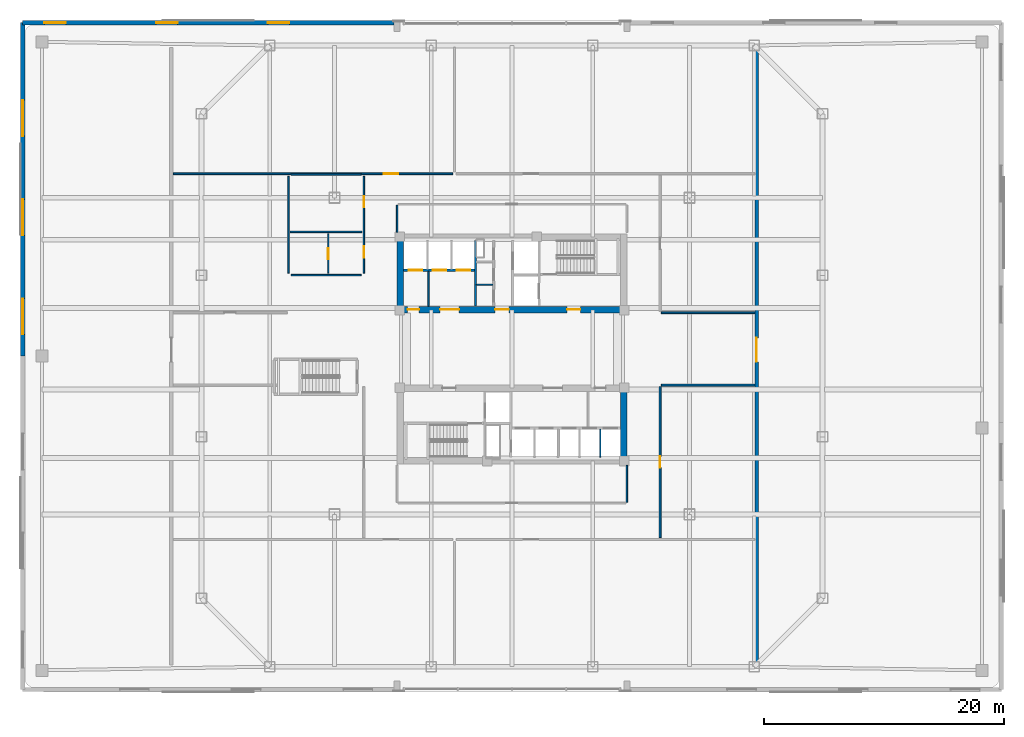
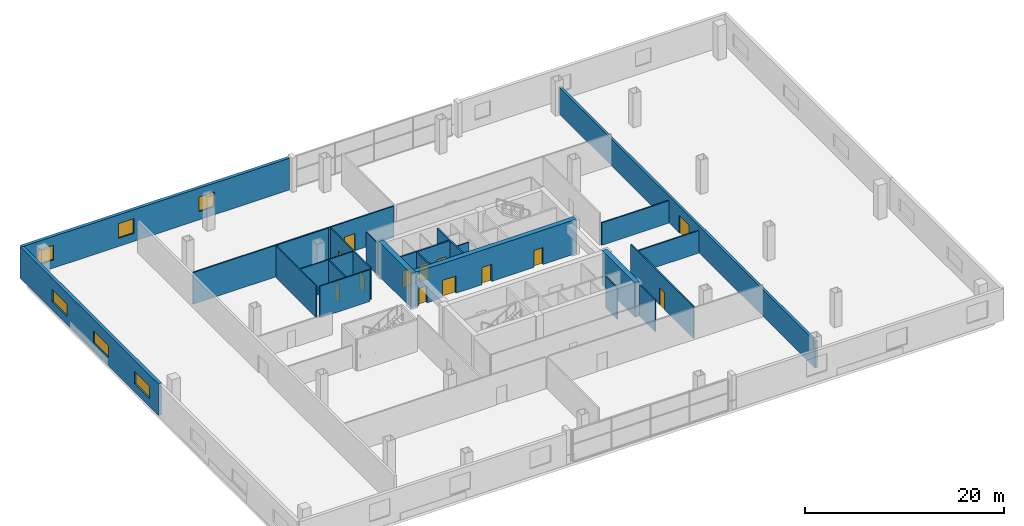
# One storey, part 13 of 21: 23 walls, 13 doors, 6 windows, 19 openings.
"""IFC4 building model written with IfcOpenShell, lengths in metres."""

from ifc_helpers import new_model, si_unit, direction, frame, frame_2d, origin, place, context, subcontext, project, spatial, rectangle, extrude, material, layer, layer_set, type_object, element, fill, save


model = new_model("IFC4")

# Units and contexts
model_context = context("Model", 3, precision=1e-05, world=origin(), true_north=direction((0.0, 1.0)))
body_context = subcontext(model_context, "Body", "Model", "MODEL_VIEW")
ifc_project = project(units=[si_unit("LENGTHUNIT", "METRE"), si_unit("AREAUNIT", "SQUARE_METRE"), si_unit("VOLUMEUNIT", "CUBIC_METRE"), si_unit("PLANEANGLEUNIT", "RADIAN"), si_unit("MASSUNIT", "GRAM", prefix="KILO")], contexts=[model_context])

# Site, building, storey
site_placement = place(None, origin())
site = spatial("IfcSite", under=ifc_project, at=site_placement, CompositionType="ELEMENT")
building_placement = place(site_placement, origin())
building = spatial("IfcBuilding", under=site, at=building_placement, Name="Qhalaya Broadcast Tower", CompositionType="ELEMENT")
storey_placement = place(building_placement, frame((0.0, 0.0, 13.5)))
storey = spatial("IfcBuildingStorey", under=building, at=storey_placement, Name="L03", CompositionType="ELEMENT", Elevation=13.5)

# Wall, opening, door
ifc_material_1 = material(Name="Gypsum Acoustic Partition")
ifc_layer_1 = layer(ifc_material_1, 0.14990234375, Name="Gypsum Acoustic Partition")
ifc_layer_set_1 = layer_set([ifc_layer_1], Name="Gypsum Acoustic Partition")
wall_type_1 = type_object("IfcWallType", Name="Corridor & Tenancy Acoustic Partition 150", PredefinedType="PARTITIONING", material=ifc_layer_set_1)
wall_1_placement = place(storey_placement, frame((-28.239990234375, 15.199951171875, 0.0), z_axis=(0.0, 0.0, 1.0), x_axis=(1.0, 0.0, 0.0)))
wall_1 = element("IfcWall", 1, at=wall_1_placement, inside=storey, type_object=wall_type_1, Name="L03 Partition Wall W-STN1L", PredefinedType="PARTITIONING", context=body_context, shape_type="SweptSolid", body=[
    extrude(rectangle(XDim=23.280029296875, YDim=0.14990234375, at=frame_2d((11.64013671875, 0.0))), origin(), (0.0, 0.0, 1.0), 3.8798828125),
])
opening_1_placement = place(wall_1_placement, frame((17.55810546875, 0.0, 0.0)))
opening_1 = element("IfcOpeningElement", 2, at=opening_1_placement, cuts=wall_1, Name="Opening D11", PredefinedType="OPENING", context=body_context, shape_type="SweptSolid", body=[
    extrude(rectangle(XDim=1.199951171875, YDim=2.10009765625, at=frame_2d((0.60009765625, 1.050048828125))), frame((0.0, 0.0869140625, 0.0), z_axis=(0.0, -1.0, 0.0), x_axis=(1.0, 0.0, 0.0)), (0.0, 0.0, 1.0), 0.173828125),
])
ifc_material_2 = material(Name="Anodised Aluminium Glazed Door", Category="aluminium")
door_type_1 = type_object("IfcDoorType", Name="Conference, Boardroom & Studio Control Door D11", OperationType="NOTDEFINED", PredefinedType="DOOR", material=ifc_material_2)
door_1_placement = place(opening_1_placement, origin())
door_1 = element("IfcDoor", 3, at=door_1_placement, inside=storey, type_object=door_type_1, Name="L03 Door D-STN1", OperationType="SINGLE_SWING_LEFT", OverallHeight=2.10009765625, OverallWidth=1.199951171875, PredefinedType="DOOR", context=body_context, shape_type="SweptSolid", body=[
    extrude(rectangle(XDim=1.199951171875, YDim=2.10009765625, at=frame_2d((0.60009765625, 1.050048828125))), frame((0.0, 0.02490234375, 0.0), z_axis=(0.0, -1.0, 0.0), x_axis=(1.0, 0.0, 0.0)), (0.0, 0.0, 1.0), 0.050048828125),
])
fill(opening_1, door_1)

wall_2_placement = place(storey_placement, frame((12.35009765625, -15.139892578125, 0.0), z_axis=(0.0, 0.0, 1.0), x_axis=(0.0, 1.0, 0.0)))
wall_2 = element("IfcWall", 4, at=wall_2_placement, inside=storey, type_object=wall_type_1, Name="L03 Partition Wall W-STPES", PredefinedType="PARTITIONING", context=body_context, shape_type="SweptSolid", body=[
    extrude(rectangle(XDim=12.599853515625, YDim=0.14990234375, at=frame_2d((6.2998046875, 0.0))), origin(), (0.0, 0.0, 1.0), 3.8798828125),
])
opening_2_placement = place(wall_2_placement, frame((5.824951171875, 0.0, 0.0)))
opening_2 = element("IfcOpeningElement", 5, at=opening_2_placement, cuts=wall_2, Name="Opening D10", PredefinedType="OPENING", context=body_context, shape_type="SweptSolid", body=[
    extrude(rectangle(XDim=0.949951171875, YDim=2.10009765625, at=frame_2d((0.47509765625, 1.050048828125))), frame((0.0, 0.0869140625, 0.0), z_axis=(0.0, -1.0, 0.0), x_axis=(1.0, 0.0, 0.0)), (0.0, 0.0, 1.0), 0.173828125),
])
ifc_material_3 = material(Name="Timber Veneer Acoustic Door", Category="wood")
door_type_2 = type_object("IfcDoorType", Name="Cellular Office & Edit Booth Door D10", OperationType="NOTDEFINED", PredefinedType="DOOR", material=ifc_material_3)
door_2_placement = place(opening_2_placement, origin())
door_2 = element("IfcDoor", 6, at=door_2_placement, inside=storey, type_object=door_type_2, Name="L03 Door D-STPE1", OperationType="SINGLE_SWING_RIGHT", OverallHeight=2.10009765625, OverallWidth=0.949951171875, PredefinedType="DOOR", context=body_context, shape_type="SweptSolid", body=[
    extrude(rectangle(XDim=0.949951171875, YDim=2.10009765625, at=frame_2d((0.47509765625, 1.050048828125))), frame((0.0, 0.02490234375, 0.0), z_axis=(0.0, -1.0, 0.0), x_axis=(1.0, 0.0, 0.0)), (0.0, 0.0, 1.0), 0.050048828125),
])
fill(opening_2, door_2)

# Walls
for number, where, z_axis, x_axis, name in (
    (7, (12.4599609375, -2.419921875, 0.0), (0.0, 0.0, 1.0), (1.0, 0.0, 0.0), "L03 Partition Wall W-STP-CS"),
    (8, (12.4599609375, 3.6201171875, 0.0), (0.0, 0.0, 1.0), (1.0, 0.0, 0.0), "L03 Partition Wall W-STP-CN"),
):
    element("IfcWall", number, at=place(storey_placement, frame(where, z_axis=z_axis, x_axis=x_axis)), inside=storey, type_object=wall_type_1, Name=name, PredefinedType="PARTITIONING", context=body_context, shape_type="SweptSolid", body=[
        extrude(rectangle(XDim=7.800048828125, YDim=0.14990234375, at=frame_2d((3.89990234375, 0.0))), origin(), (0.0, 0.0, 1.0), 2.741943359375),
    ])

# Wall, opening, door
ifc_layer_2 = layer(ifc_material_1, 0.280029296875, Name="Gypsum Acoustic Partition")
ifc_layer_set_2 = layer_set([ifc_layer_2], Name="Gypsum Acoustic Partition")
wall_type_2 = type_object("IfcWallType", Name="Double-Leaf Soundstage Acoustic Wall 280", PredefinedType="MOVABLE", material=ifc_layer_set_2)
wall_3_placement = place(storey_placement, frame((20.39990234375, -25.739990234375, 0.0), z_axis=(0.0, 0.0, 1.0), x_axis=(0.0, 1.0, 0.0)))
wall_3 = element("IfcWall", 9, at=wall_3_placement, inside=storey, type_object=wall_type_2, Name="L03 Partition Wall W-STBE", PredefinedType="MOVABLE", context=body_context, shape_type="SweptSolid", body=[
    extrude(rectangle(XDim=51.47998046875, YDim=0.280029296875, at=frame_2d((25.739990234375, 0.0))), origin(), (0.0, 0.0, 1.0), 3.2529296875),
])
opening_3_placement = place(wall_3_placement, frame((25.2548828125, 0.0, 0.0)))
opening_3 = element("IfcOpeningElement", 10, at=opening_3_placement, cuts=wall_3, Name="Opening D08", PredefinedType="OPENING", context=body_context, shape_type="SweptSolid", body=[
    extrude(rectangle(XDim=2.0, YDim=2.139892578125, at=frame_2d((1.0, 1.06982421875))), frame((0.0, 0.152099609375, 0.0), z_axis=(0.0, -1.0, 0.0), x_axis=(1.0, 0.0, 0.0)), (0.0, 0.0, 1.0), 0.303955078125),
])
ifc_material_4 = material(Name="Acoustic Studio Isolation Steel Door", Category="steel")
door_type_3 = type_object("IfcDoorType", Name="Soundstage Acoustic Isolation Double Door D08", OperationType="DOUBLE_DOOR_SINGLE_SWING", PredefinedType="DOOR", material=ifc_material_4)
door_3_placement = place(opening_3_placement, origin())
door_3 = element("IfcDoor", 11, at=door_3_placement, inside=storey, type_object=door_type_3, Name="L03 Door D-STB1", OperationType="DOUBLE_DOOR_SINGLE_SWING", OverallHeight=2.139892578125, OverallWidth=2.0, PredefinedType="DOOR", context=body_context, shape_type="SweptSolid", body=[
    extrude(rectangle(XDim=2.0, YDim=2.139892578125, at=frame_2d((1.0, 1.06982421875))), frame((0.0, 0.02490234375, 0.0), z_axis=(0.0, -1.0, 0.0), x_axis=(1.0, 0.0, 0.0)), (0.0, 0.0, 1.0), 0.050048828125),
])
fill(opening_3, door_3)

# Wall, openings, windows
ifc_material_5 = material(Name="Precast Concrete C40/50", Category="concrete")
ifc_layer_3 = layer(ifc_material_5, 0.360107421875, Name="Precast Concrete C40/50")
ifc_layer_set_3 = layer_set([ifc_layer_3], Name="Precast Concrete C40/50")
wall_type_3 = type_object("IfcWallType", Name="Insulated Precast Terracotta Exterior Wall 360", PredefinedType="SOLIDWALL", material=ifc_layer_set_3)
wall_4_placement = place(storey_placement, frame((-40.800048828125, 27.800048828125, 0.0), z_axis=(0.0, 0.0, 1.0), x_axis=(1.0, 0.0, 0.0)))
wall_4 = element("IfcWall", 12, at=wall_4_placement, inside=storey, type_object=wall_type_3, Name="L03 Podium Exterior Terracotta Wall EW-NW", PredefinedType="SOLIDWALL", context=body_context, shape_type="SweptSolid", body=[
    extrude(rectangle(XDim=30.9599609375, YDim=0.360107421875, at=frame_2d((15.47998046875, 0.0))), origin(), (0.0, 0.0, 1.0), 3.8798828125),
])
opening_4_placement = place(wall_4_placement, frame((1.800048828125, 0.0, 1.0)))
opening_4 = element("IfcOpeningElement", 13, at=opening_4_placement, cuts=wall_4, Name="Opening W02", PredefinedType="OPENING", context=body_context, shape_type="SweptSolid", body=[
    extrude(rectangle(XDim=1.800048828125, YDim=1.800048828125, at=frame_2d((0.89990234375, 0.89990234375))), frame((0.0, 0.192138671875, 0.0), z_axis=(0.0, -1.0, 0.0), x_axis=(1.0, 0.0, 0.0)), (0.0, 0.0, 1.0), 0.384033203125),
])
opening_5_placement = place(wall_4_placement, frame((11.1201171875, 0.0, 1.0)))
opening_5 = element("IfcOpeningElement", 14, at=opening_5_placement, cuts=wall_4, Name="Opening W02", PredefinedType="OPENING", context=body_context, shape_type="SweptSolid", body=[
    extrude(rectangle(XDim=1.800048828125, YDim=1.800048828125, at=frame_2d((0.89990234375, 0.89990234375))), frame((0.0, 0.192138671875, 0.0), z_axis=(0.0, -1.0, 0.0), x_axis=(1.0, 0.0, 0.0)), (0.0, 0.0, 1.0), 0.384033203125),
])
opening_6_placement = place(wall_4_placement, frame((20.43994140625, 0.0, 1.0)))
opening_6 = element("IfcOpeningElement", 15, at=opening_6_placement, cuts=wall_4, Name="Opening W02", PredefinedType="OPENING", context=body_context, shape_type="SweptSolid", body=[
    extrude(rectangle(XDim=1.800048828125, YDim=1.800048828125, at=frame_2d((0.89990234375, 0.89990234375))), frame((0.0, 0.192138671875, 0.0), z_axis=(0.0, -1.0, 0.0), x_axis=(1.0, 0.0, 0.0)), (0.0, 0.0, 1.0), 0.384033203125),
])
ifc_material_6 = material(Name="Solar-Control Low-E Triple Glazing", Category="glass")
window_type_1 = type_object("IfcWindowType", Name="Podium Production Office Window W02", PartitioningType="SINGLE_PANEL", PredefinedType="WINDOW", material=ifc_material_6)
window_1_placement = place(opening_4_placement, origin())
window_1 = element("IfcWindow", 16, at=window_1_placement, inside=storey, type_object=window_type_1, Name="L03 Facade Window W02-1", OverallHeight=1.800048828125, OverallWidth=1.800048828125, PartitioningType="SINGLE_PANEL", PredefinedType="WINDOW", context=body_context, shape_type="SweptSolid", body=[
    extrude(rectangle(XDim=1.800048828125, YDim=1.800048828125, at=frame_2d((0.89990234375, 0.89990234375))), frame((0.0, 0.030029296875, 0.0), z_axis=(0.0, -1.0, 0.0), x_axis=(1.0, 0.0, 0.0)), (0.0, 0.0, 1.0), 0.06005859375),
])
fill(opening_4, window_1)
window_2_placement = place(opening_5_placement, origin())
window_2 = element("IfcWindow", 17, at=window_2_placement, inside=storey, type_object=window_type_1, Name="L03 Facade Window W02-2", OverallHeight=1.800048828125, OverallWidth=1.800048828125, PartitioningType="SINGLE_PANEL", PredefinedType="WINDOW", context=body_context, shape_type="SweptSolid", body=[
    extrude(rectangle(XDim=1.800048828125, YDim=1.800048828125, at=frame_2d((0.89990234375, 0.89990234375))), frame((0.0, 0.030029296875, 0.0), z_axis=(0.0, -1.0, 0.0), x_axis=(1.0, 0.0, 0.0)), (0.0, 0.0, 1.0), 0.06005859375),
])
fill(opening_5, window_2)
window_3_placement = place(opening_6_placement, origin())
window_3 = element("IfcWindow", 18, at=window_3_placement, inside=storey, type_object=window_type_1, Name="L03 Facade Window W02-3", OverallHeight=1.800048828125, OverallWidth=1.800048828125, PartitioningType="SINGLE_PANEL", PredefinedType="WINDOW", context=body_context, shape_type="SweptSolid", body=[
    extrude(rectangle(XDim=1.800048828125, YDim=1.800048828125, at=frame_2d((0.89990234375, 0.89990234375))), frame((0.0, 0.030029296875, 0.0), z_axis=(0.0, -1.0, 0.0), x_axis=(1.0, 0.0, 0.0)), (0.0, 0.0, 1.0), 0.06005859375),
])
fill(opening_6, window_3)

wall_5_placement = place(storey_placement, frame((-40.800048828125, 0.0, 0.0), z_axis=(0.0, 0.0, 1.0), x_axis=(0.0, 1.0, 0.0)))
wall_5 = element("IfcWall", 19, at=wall_5_placement, inside=storey, type_object=wall_type_3, Name="L03 Podium Exterior Terracotta Wall EW-WN", PredefinedType="SOLIDWALL", context=body_context, shape_type="SweptSolid", body=[
    extrude(rectangle(XDim=27.800048828125, YDim=0.360107421875, at=frame_2d((13.89990234375, 0.0))), origin(), (0.0, 0.0, 1.0), 3.8798828125),
])
opening_7_placement = place(wall_5_placement, frame((1.800048828125, 0.0, 1.0)))
opening_7 = element("IfcOpeningElement", 20, at=opening_7_placement, cuts=wall_5, Name="Opening W03", PredefinedType="OPENING", context=body_context, shape_type="SweptSolid", body=[
    extrude(rectangle(XDim=3.0, YDim=1.5, at=frame_2d((1.5, 0.75))), frame((0.0, 0.192138671875, 0.0), z_axis=(0.0, -1.0, 0.0), x_axis=(1.0, 0.0, 0.0)), (0.0, 0.0, 1.0), 0.384033203125),
])
opening_8_placement = place(wall_5_placement, frame((10.06689453125, 0.0, 1.0)))
opening_8 = element("IfcOpeningElement", 21, at=opening_8_placement, cuts=wall_5, Name="Opening W03", PredefinedType="OPENING", context=body_context, shape_type="SweptSolid", body=[
    extrude(rectangle(XDim=3.0, YDim=1.5, at=frame_2d((1.5, 0.75))), frame((0.0, 0.192138671875, 0.0), z_axis=(0.0, -1.0, 0.0), x_axis=(1.0, 0.0, 0.0)), (0.0, 0.0, 1.0), 0.384033203125),
])
opening_9_placement = place(wall_5_placement, frame((18.3330078125, 0.0, 1.0)))
opening_9 = element("IfcOpeningElement", 22, at=opening_9_placement, cuts=wall_5, Name="Opening W03", PredefinedType="OPENING", context=body_context, shape_type="SweptSolid", body=[
    extrude(rectangle(XDim=3.0, YDim=1.5, at=frame_2d((1.5, 0.75))), frame((0.0, 0.192138671875, 0.0), z_axis=(0.0, -1.0, 0.0), x_axis=(1.0, 0.0, 0.0)), (0.0, 0.0, 1.0), 0.384033203125),
])
window_type_2 = type_object("IfcWindowType", Name="Podium Concourse Clerestory Window W03", PartitioningType="SINGLE_PANEL", PredefinedType="WINDOW", material=ifc_material_6)
window_4_placement = place(opening_7_placement, origin())
window_4 = element("IfcWindow", 23, at=window_4_placement, inside=storey, type_object=window_type_2, Name="L03 Facade Window W03-1", OverallHeight=1.5, OverallWidth=3.0, PartitioningType="SINGLE_PANEL", PredefinedType="WINDOW", context=body_context, shape_type="SweptSolid", body=[
    extrude(rectangle(XDim=3.0, YDim=1.5, at=frame_2d((1.5, 0.75))), frame((0.0, 0.030029296875, 0.0), z_axis=(0.0, -1.0, 0.0), x_axis=(1.0, 0.0, 0.0)), (0.0, 0.0, 1.0), 0.06005859375),
])
fill(opening_7, window_4)
window_5_placement = place(opening_8_placement, origin())
window_5 = element("IfcWindow", 24, at=window_5_placement, inside=storey, type_object=window_type_2, Name="L03 Facade Window W03-2", OverallHeight=1.5, OverallWidth=3.0, PartitioningType="SINGLE_PANEL", PredefinedType="WINDOW", context=body_context, shape_type="SweptSolid", body=[
    extrude(rectangle(XDim=3.0, YDim=1.5, at=frame_2d((1.5, 0.75))), frame((0.0, 0.030029296875, 0.0), z_axis=(0.0, -1.0, 0.0), x_axis=(1.0, 0.0, 0.0)), (0.0, 0.0, 1.0), 0.06005859375),
])
fill(opening_8, window_5)
window_6_placement = place(opening_9_placement, origin())
window_6 = element("IfcWindow", 25, at=window_6_placement, inside=storey, type_object=window_type_2, Name="L03 Facade Window W03-3", OverallHeight=1.5, OverallWidth=3.0, PartitioningType="SINGLE_PANEL", PredefinedType="WINDOW", context=body_context, shape_type="SweptSolid", body=[
    extrude(rectangle(XDim=3.0, YDim=1.5, at=frame_2d((1.5, 0.75))), frame((0.0, 0.030029296875, 0.0), z_axis=(0.0, -1.0, 0.0), x_axis=(1.0, 0.0, 0.0)), (0.0, 0.0, 1.0), 0.06005859375),
])
fill(opening_9, window_6)

# Wall, openings, doors
ifc_material_7 = material(Name="Concrete C60/75", Category="concrete")
ifc_layer_4 = layer(ifc_material_7, 0.550048828125, Name="Concrete C60/75")
ifc_layer_set_4 = layer_set([ifc_layer_4], Name="Concrete C60/75")
wall_type_4 = type_object("IfcWallType", Name="Lower Split-Core Shear Wall 550", PredefinedType="SHEAR", material=ifc_layer_set_4)
wall_6_placement = place(storey_placement, frame((-9.60009765625, 3.875, 0.0), z_axis=(0.0, 0.0, 1.0), x_axis=(1.0, 0.0, 0.0)))
wall_6 = element("IfcWall", 26, at=wall_6_placement, inside=storey, type_object=wall_type_4, Name="L03 Split-Core Shear Wall CW-NS", PredefinedType="SHEAR", context=body_context, shape_type="SweptSolid", body=[
    extrude(rectangle(XDim=19.2001953125, YDim=0.550048828125, at=frame_2d((9.60009765625, 0.0))), origin(), (0.0, 0.0, 1.0), 4.199951171875),
])
opening_10_placement = place(wall_6_placement, frame((14.199951171875, 0.0, 0.0)))
opening_10 = element("IfcOpeningElement", 27, at=opening_10_placement, cuts=wall_6, Name="Opening D04", PredefinedType="OPENING", context=body_context, shape_type="SweptSolid", body=[
    extrude(rectangle(XDim=1.10009765625, YDim=2.080078125, at=frame_2d((0.550048828125, 1.0400390625))), frame((0.0, 0.287109375, 0.0), z_axis=(0.0, -1.0, 0.0), x_axis=(1.0, 0.0, 0.0)), (0.0, 0.0, 1.0), 0.573974609375),
])
opening_11_placement = place(wall_6_placement, frame((8.199951171875, 0.0, 0.0)))
opening_11 = element("IfcOpeningElement", 28, at=opening_11_placement, cuts=wall_6, Name="Opening D05", PredefinedType="OPENING", context=body_context, shape_type="SweptSolid", body=[
    extrude(rectangle(XDim=1.14990234375, YDim=2.10009765625, at=frame_2d((0.574951171875, 1.050048828125))), frame((0.0, 0.287109375, 0.0), z_axis=(0.0, -1.0, 0.0), x_axis=(1.0, 0.0, 0.0)), (0.0, 0.0, 1.0), 0.573974609375),
])
opening_12_placement = place(wall_6_placement, frame((0.89990234375, 0.0, 0.0)))
opening_12 = element("IfcOpeningElement", 29, at=opening_12_placement, cuts=wall_6, Name="Opening D10", PredefinedType="OPENING", context=body_context, shape_type="SweptSolid", body=[
    extrude(rectangle(XDim=0.949951171875, YDim=2.10009765625, at=frame_2d((0.47509765625, 1.050048828125))), frame((0.0, 0.287109375, 0.0), z_axis=(0.0, -1.0, 0.0), x_axis=(1.0, 0.0, 0.0)), (0.0, 0.0, 1.0), 0.573974609375),
])
opening_13_placement = place(wall_6_placement, frame((3.60009765625, 0.0, 0.0)))
opening_13 = element("IfcOpeningElement", 30, at=opening_13_placement, cuts=wall_6, Name="Opening D07", PredefinedType="OPENING", context=body_context, shape_type="SweptSolid", body=[
    extrude(rectangle(XDim=1.60009765625, YDim=2.1201171875, at=frame_2d((0.800048828125, 1.06005859375))), frame((0.0, 0.287109375, 0.0), z_axis=(0.0, -1.0, 0.0), x_axis=(1.0, 0.0, 0.0)), (0.0, 0.0, 1.0), 0.573974609375),
])
door_4_placement = place(opening_12_placement, origin())
door_4 = element("IfcDoor", 31, at=door_4_placement, inside=storey, type_object=door_type_2, Name="L03 Door D-NLPNT", OperationType="SINGLE_SWING_RIGHT", OverallHeight=2.10009765625, OverallWidth=0.949951171875, PredefinedType="DOOR", context=body_context, shape_type="SweptSolid", body=[
    extrude(rectangle(XDim=0.949951171875, YDim=2.10009765625, at=frame_2d((0.47509765625, 1.050048828125))), frame((0.0, 0.02490234375, 0.0), z_axis=(0.0, -1.0, 0.0), x_axis=(1.0, 0.0, 0.0)), (0.0, 0.0, 1.0), 0.050048828125),
])
fill(opening_12, door_4)
ifc_material_8 = material(Name="Fire-Rated Steel Door", Category="steel")
door_type_4 = type_object("IfcDoorType", Name="Firefighting Lobby Rated Door D04", OperationType="NOTDEFINED", PredefinedType="DOOR", material=ifc_material_8)
door_5_placement = place(opening_10_placement, origin())
door_5 = element("IfcDoor", 32, at=door_5_placement, inside=storey, type_object=door_type_4, Name="L03 Door D-NFF", OperationType="SINGLE_SWING_RIGHT", OverallHeight=2.080078125, OverallWidth=1.10009765625, PredefinedType="DOOR", context=body_context, shape_type="SweptSolid", body=[
    extrude(rectangle(XDim=1.10009765625, YDim=2.080078125, at=frame_2d((0.550048828125, 1.0400390625))), frame((0.0, 0.02490234375, 0.0), z_axis=(0.0, -1.0, 0.0), x_axis=(1.0, 0.0, 0.0)), (0.0, 0.0, 1.0), 0.050048828125),
])
fill(opening_10, door_5)
door_type_5 = type_object("IfcDoorType", Name="Passenger Lift Lobby Double Glazed Door D07", OperationType="DOUBLE_DOOR_SINGLE_SWING", PredefinedType="DOOR", material=ifc_material_2)
door_6_placement = place(opening_13_placement, origin())
door_6 = element("IfcDoor", 33, at=door_6_placement, inside=storey, type_object=door_type_5, Name="L03 Door D-NPLL", OperationType="DOUBLE_DOOR_SINGLE_SWING", OverallHeight=2.1201171875, OverallWidth=1.60009765625, PredefinedType="DOOR", context=body_context, shape_type="SweptSolid", body=[
    extrude(rectangle(XDim=1.60009765625, YDim=2.1201171875, at=frame_2d((0.800048828125, 1.06005859375))), frame((0.0, 0.02490234375, 0.0), z_axis=(0.0, -1.0, 0.0), x_axis=(1.0, 0.0, 0.0)), (0.0, 0.0, 1.0), 0.050048828125),
])
fill(opening_13, door_6)
door_type_6 = type_object("IfcDoorType", Name="Refuge & Plant Room Fire Door D05", OperationType="NOTDEFINED", PredefinedType="DOOR", material=ifc_material_8)
door_7_placement = place(opening_11_placement, origin())
door_7 = element("IfcDoor", 34, at=door_7_placement, inside=storey, type_object=door_type_6, Name="L03 Door D-NSVL", OperationType="SINGLE_SWING_LEFT", OverallHeight=2.10009765625, OverallWidth=1.14990234375, PredefinedType="DOOR", context=body_context, shape_type="SweptSolid", body=[
    extrude(rectangle(XDim=1.14990234375, YDim=2.10009765625, at=frame_2d((0.574951171875, 1.050048828125))), frame((0.0, 0.02490234375, 0.0), z_axis=(0.0, -1.0, 0.0), x_axis=(1.0, 0.0, 0.0)), (0.0, 0.0, 1.0), 0.050048828125),
])
fill(opening_11, door_7)

# Walls
wall_7_placement = place(storey_placement, frame((-9.324951171875, 3.60009765625, 0.0), z_axis=(0.0, 0.0, 1.0), x_axis=(0.0, 1.0, 0.0)))
element("IfcWall", 35, at=wall_7_placement, inside=storey, type_object=wall_type_4, Name="L03 Split-Core Shear Wall CW-NW", PredefinedType="SHEAR", context=body_context, shape_type="SweptSolid", body=[
    extrude(rectangle(XDim=6.599853515625, YDim=0.550048828125, at=frame_2d((3.2998046875, 0.0))), origin(), (0.0, 0.0, 1.0), 4.199951171875),
])
wall_8_placement = place(storey_placement, frame((9.324951171875, -9.0, 0.0), z_axis=(0.0, 0.0, 1.0), x_axis=(0.0, 1.0, 0.0)))
element("IfcWall", 36, at=wall_8_placement, inside=storey, type_object=wall_type_4, Name="L03 Split-Core Shear Wall CW-SE", PredefinedType="SHEAR", context=body_context, shape_type="SweptSolid", body=[
    extrude(rectangle(XDim=6.60009765625, YDim=0.550048828125, at=frame_2d((3.300048828125, 0.0))), origin(), (0.0, 0.0, 1.0), 4.199951171875),
])
ifc_layer_5 = layer(ifc_material_1, 0.1201171875, Name="Gypsum Acoustic Partition")
ifc_layer_set_5 = layer_set([ifc_layer_5], Name="Gypsum Acoustic Partition")
wall_type_5 = type_object("IfcWallType", Name="Office, Booth & Sanitary Partition 120", PredefinedType="PARTITIONING", material=ifc_layer_set_5)
wall_9_placement = place(storey_placement, frame((-2.9599609375, 5.949951171875, 0.0), z_axis=(0.0, 0.0, 1.0), x_axis=(1.0, 0.0, 0.0)))
element("IfcWall", 37, at=wall_9_placement, inside=storey, type_object=wall_type_5, Name="L03 Partition Wall NCW-VB1", PredefinedType="PARTITIONING", context=body_context, shape_type="SweptSolid", body=[
    extrude(rectangle(XDim=1.35986328125, YDim=0.1201171875, at=frame_2d((0.679931640625, 0.0))), origin(), (0.0, 0.0, 1.0), 3.8798828125),
])
wall_10_placement = place(storey_placement, frame((-6.949951171875, 4.169921875, 0.0), z_axis=(0.0, 0.0, 1.0), x_axis=(0.0, 1.0, 0.0)))
element("IfcWall", 38, at=wall_10_placement, inside=storey, type_object=wall_type_5, Name="L03 Partition Wall NCW-LKB", PredefinedType="PARTITIONING", context=body_context, shape_type="SweptSolid", body=[
    extrude(rectangle(XDim=2.89013671875, YDim=0.1201171875, at=frame_2d((1.445068359375, 0.0))), origin(), (0.0, 0.0, 1.0), 3.8798828125),
])
wall_11_placement = place(storey_placement, frame((7.360107421875, -8.429931640625, 0.0), z_axis=(0.0, 0.0, 1.0), x_axis=(0.0, 1.0, 0.0)))
element("IfcWall", 39, at=wall_11_placement, inside=storey, type_object=wall_type_5, Name="L03 Partition Wall SCW-HD7", PredefinedType="PARTITIONING", context=body_context, shape_type="SweptSolid", body=[
    extrude(rectangle(XDim=2.329833984375, YDim=0.1201171875, at=frame_2d((1.1650390625, 0.0))), origin(), (0.0, 0.0, 1.0), 3.8798828125),
])
for number, where, z_axis, x_axis, name in (
    (40, (-18.419921875, 6.75, 0.0), (0.0, 0.0, 1.0), (1.0, 0.0, 0.0), "L03 Partition Wall W-PWCS"),
    (41, (-18.419921875, 15.14990234375, 0.0), (0.0, 0.0, 1.0), (1.0, 0.0, 0.0), "L03 Partition Wall W-PWCN"),
):
    element("IfcWall", number, at=place(storey_placement, frame(where, z_axis=z_axis, x_axis=x_axis)), inside=storey, type_object=wall_type_5, Name=name, PredefinedType="PARTITIONING", context=body_context, shape_type="SweptSolid", body=[
        extrude(rectangle(XDim=5.83984375, YDim=0.1201171875, at=frame_2d((2.919921875, 0.0))), origin(), (0.0, 0.0, 1.0), 3.8798828125),
    ])
wall_12_placement = place(storey_placement, frame((-18.64990234375, 6.909912109375, 0.0), z_axis=(0.0, 0.0, 1.0), x_axis=(0.0, 1.0, 0.0)))
element("IfcWall", 42, at=wall_12_placement, inside=storey, type_object=wall_type_5, Name="L03 Partition Wall W-PWCW", PredefinedType="PARTITIONING", context=body_context, shape_type="SweptSolid", body=[
    extrude(rectangle(XDim=8.080078125, YDim=0.1201171875, at=frame_2d((4.0400390625, 0.0))), origin(), (0.0, 0.0, 1.0), 3.8798828125),
])
wall_13_placement = place(storey_placement, frame((-18.489990234375, 10.35009765625, 0.0), z_axis=(0.0, 0.0, 1.0), x_axis=(1.0, 0.0, 0.0)))
element("IfcWall", 43, at=wall_13_placement, inside=storey, type_object=wall_type_5, Name="L03 Partition Wall W-PWCM", PredefinedType="PARTITIONING", context=body_context, shape_type="SweptSolid", body=[
    extrude(rectangle(XDim=5.97998046875, YDim=0.1201171875, at=frame_2d((2.989990234375, 0.0))), origin(), (0.0, 0.0, 1.0), 3.8798828125),
])

# Wall, opening, door
wall_14_placement = place(storey_placement, frame((-15.320068359375, 6.909912109375, 0.0), z_axis=(0.0, 0.0, 1.0), x_axis=(0.0, 1.0, 0.0)))
wall_14 = element("IfcWall", 44, at=wall_14_placement, inside=storey, type_object=wall_type_5, Name="L03 Partition Wall W-PWCD", PredefinedType="PARTITIONING", context=body_context, shape_type="SweptSolid", body=[
    extrude(rectangle(XDim=3.280029296875, YDim=0.1201171875, at=frame_2d((1.64013671875, 0.0))), origin(), (0.0, 0.0, 1.0), 3.8798828125),
])
opening_14_placement = place(wall_14_placement, frame((1.1650390625, 0.0, 0.0)))
opening_14 = element("IfcOpeningElement", 45, at=opening_14_placement, cuts=wall_14, Name="Opening D12", PredefinedType="OPENING", context=body_context, shape_type="SweptSolid", body=[
    extrude(rectangle(XDim=0.919921875, YDim=2.10009765625, at=frame_2d((0.4599609375, 1.050048828125))), frame((0.0, 0.072021484375, 0.0), z_axis=(0.0, -1.0, 0.0), x_axis=(1.0, 0.0, 0.0)), (0.0, 0.0, 1.0), 0.14404296875),
])
door_type_7 = type_object("IfcDoorType", Name="Accessible WC & Restroom Door D12", OperationType="NOTDEFINED", PredefinedType="DOOR", material=ifc_material_3)
door_8_placement = place(opening_14_placement, origin())
door_8 = element("IfcDoor", 46, at=door_8_placement, inside=storey, type_object=door_type_7, Name="L03 Door D-PWCA", OperationType="SINGLE_SWING_LEFT", OverallHeight=2.10009765625, OverallWidth=0.919921875, PredefinedType="DOOR", context=body_context, shape_type="SweptSolid", body=[
    extrude(rectangle(XDim=0.919921875, YDim=2.10009765625, at=frame_2d((0.4599609375, 1.050048828125))), frame((0.0, 0.02490234375, 0.0), z_axis=(0.0, -1.0, 0.0), x_axis=(1.0, 0.0, 0.0)), (0.0, 0.0, 1.0), 0.050048828125),
])
fill(opening_14, door_8)

# Wall, openings, doors
wall_15_placement = place(storey_placement, frame((-12.35009765625, 6.909912109375, 0.0), z_axis=(0.0, 0.0, 1.0), x_axis=(0.0, 1.0, 0.0)))
wall_15 = element("IfcWall", 47, at=wall_15_placement, inside=storey, type_object=wall_type_5, Name="L03 Partition Wall W-PWCE", PredefinedType="PARTITIONING", context=body_context, shape_type="SweptSolid", body=[
    extrude(rectangle(XDim=8.080078125, YDim=0.1201171875, at=frame_2d((4.0400390625, 0.0))), origin(), (0.0, 0.0, 1.0), 3.8798828125),
])
opening_15_placement = place(wall_15_placement, frame((1.302978515625, 0.0, 0.0)))
opening_15 = element("IfcOpeningElement", 48, at=opening_15_placement, cuts=wall_15, Name="Opening D10", PredefinedType="OPENING", context=body_context, shape_type="SweptSolid", body=[
    extrude(rectangle(XDim=0.949951171875, YDim=2.10009765625, at=frame_2d((0.47509765625, 1.050048828125))), frame((0.0, 0.072021484375, 0.0), z_axis=(0.0, -1.0, 0.0), x_axis=(1.0, 0.0, 0.0)), (0.0, 0.0, 1.0), 0.14404296875),
])
opening_16_placement = place(wall_15_placement, frame((5.50390625, 0.0, 0.0)))
opening_16 = element("IfcOpeningElement", 49, at=opening_16_placement, cuts=wall_15, Name="Opening D12", PredefinedType="OPENING", context=body_context, shape_type="SweptSolid", body=[
    extrude(rectangle(XDim=0.919921875, YDim=2.10009765625, at=frame_2d((0.4599609375, 1.050048828125))), frame((0.0, 0.072021484375, 0.0), z_axis=(0.0, -1.0, 0.0), x_axis=(1.0, 0.0, 0.0)), (0.0, 0.0, 1.0), 0.14404296875),
])
door_9_placement = place(opening_16_placement, origin())
door_9 = element("IfcDoor", 50, at=door_9_placement, inside=storey, type_object=door_type_7, Name="L03 Door D-PWCM", OperationType="SINGLE_SWING_LEFT", OverallHeight=2.10009765625, OverallWidth=0.919921875, PredefinedType="DOOR", context=body_context, shape_type="SweptSolid", body=[
    extrude(rectangle(XDim=0.919921875, YDim=2.10009765625, at=frame_2d((0.4599609375, 1.050048828125))), frame((0.0, 0.02490234375, 0.0), z_axis=(0.0, -1.0, 0.0), x_axis=(1.0, 0.0, 0.0)), (0.0, 0.0, 1.0), 0.050048828125),
])
fill(opening_16, door_9)
door_10_placement = place(opening_15_placement, origin())
door_10 = element("IfcDoor", 51, at=door_10_placement, inside=storey, type_object=door_type_2, Name="L03 Door D-PWCP", OperationType="SINGLE_SWING_RIGHT", OverallHeight=2.10009765625, OverallWidth=0.949951171875, PredefinedType="DOOR", context=body_context, shape_type="SweptSolid", body=[
    extrude(rectangle(XDim=0.949951171875, YDim=2.10009765625, at=frame_2d((0.47509765625, 1.050048828125))), frame((0.0, 0.02490234375, 0.0), z_axis=(0.0, -1.0, 0.0), x_axis=(1.0, 0.0, 0.0)), (0.0, 0.0, 1.0), 0.050048828125),
])
fill(opening_15, door_10)

# Walls
wall_16_placement = place(storey_placement, frame((-9.580078125, 10.31005859375, 0.0), z_axis=(0.0, 0.0, 1.0), x_axis=(0.0, 1.0, 0.0)))
element("IfcWall", 52, at=wall_16_placement, inside=storey, type_object=wall_type_5, Name="L03 Partition Wall W-PCSHNW", PredefinedType="PARTITIONING", context=body_context, shape_type="SweptSolid", body=[
    extrude(rectangle(XDim=2.280029296875, YDim=0.1201171875, at=frame_2d((1.14013671875, 0.0))), origin(), (0.0, 0.0, 1.0), 3.8798828125),
])
wall_17_placement = place(storey_placement, frame((9.580078125, -12.18994140625, 0.0), z_axis=(0.0, 0.0, 1.0), x_axis=(0.0, 1.0, 0.0)))
element("IfcWall", 53, at=wall_17_placement, inside=storey, type_object=wall_type_5, Name="L03 Partition Wall W-PCSHSE", PredefinedType="PARTITIONING", context=body_context, shape_type="SweptSolid", body=[
    extrude(rectangle(XDim=3.079833984375, YDim=0.1201171875, at=frame_2d((1.5400390625, 0.0))), origin(), (0.0, 0.0, 1.0), 3.8798828125),
])
ifc_layer_6 = layer(ifc_material_1, 0.175048828125, Name="Gypsum Acoustic Partition")
ifc_layer_set_6 = layer_set([ifc_layer_6], Name="Gypsum Acoustic Partition")
wall_type_6 = type_object("IfcWallType", Name="Shaft & Riser Fire Partition 175", PredefinedType="PARTITIONING", material=ifc_layer_set_6)
wall_18_placement = place(storey_placement, frame((-3.0400390625, 4.169921875, 0.0), z_axis=(0.0, 0.0, 1.0), x_axis=(0.0, 1.0, 0.0)))
element("IfcWall", 54, at=wall_18_placement, inside=storey, type_object=wall_type_6, Name="L03 Partition Wall NCW-VRW", PredefinedType="PARTITIONING", context=body_context, shape_type="SweptSolid", body=[
    extrude(rectangle(XDim=5.4599609375, YDim=0.175048828125, at=frame_2d((2.72998046875, 0.0))), origin(), (0.0, 0.0, 1.0), 3.8798828125),
])

# Wall, openings, doors
wall_19_placement = place(storey_placement, frame((-9.030029296875, 7.159912109375, 0.0), z_axis=(0.0, 0.0, 1.0), x_axis=(1.0, 0.0, 0.0)))
wall_19 = element("IfcWall", 55, at=wall_19_placement, inside=storey, type_object=wall_type_6, Name="L03 Partition Wall NCW-PLB", PredefinedType="PARTITIONING", context=body_context, shape_type="SweptSolid", body=[
    extrude(rectangle(XDim=5.909912109375, YDim=0.175048828125, at=frame_2d((2.955078125, 0.0))), origin(), (0.0, 0.0, 1.0), 3.8798828125),
])
opening_17_placement = place(wall_19_placement, frame((0.429931640625, 0.0, 0.0)))
opening_17 = element("IfcOpeningElement", 56, at=opening_17_placement, cuts=wall_19, Name="Opening LD1", PredefinedType="OPENING", context=body_context, shape_type="SweptSolid", body=[
    extrude(rectangle(XDim=1.10009765625, YDim=2.06005859375, at=frame_2d((0.550048828125, 1.030029296875))), frame((0.0, 0.099609375, 0.0), z_axis=(0.0, -1.0, 0.0), x_axis=(1.0, 0.0, 0.0)), (0.0, 0.0, 1.0), 0.198974609375),
])
opening_18_placement = place(wall_19_placement, frame((2.429931640625, 0.0, 0.0)))
opening_18 = element("IfcOpeningElement", 57, at=opening_18_placement, cuts=wall_19, Name="Opening LD1", PredefinedType="OPENING", context=body_context, shape_type="SweptSolid", body=[
    extrude(rectangle(XDim=1.10009765625, YDim=2.06005859375, at=frame_2d((0.550048828125, 1.030029296875))), frame((0.0, 0.099609375, 0.0), z_axis=(0.0, -1.0, 0.0), x_axis=(1.0, 0.0, 0.0)), (0.0, 0.0, 1.0), 0.198974609375),
])
opening_19_placement = place(wall_19_placement, frame((4.429931640625, 0.0, 0.0)))
opening_19 = element("IfcOpeningElement", 58, at=opening_19_placement, cuts=wall_19, Name="Opening LD1", PredefinedType="OPENING", context=body_context, shape_type="SweptSolid", body=[
    extrude(rectangle(XDim=1.10009765625, YDim=2.06005859375, at=frame_2d((0.550048828125, 1.030029296875))), frame((0.0, 0.099609375, 0.0), z_axis=(0.0, -1.0, 0.0), x_axis=(1.0, 0.0, 0.0)), (0.0, 0.0, 1.0), 0.198974609375),
])
ifc_material_9 = material(Name="Brushed Stainless Steel Lift Door", Category="steel")
door_type_8 = type_object("IfcDoorType", Name="Passenger Lift Sliding Landing Door LD1", OperationType="DOUBLE_DOOR_SLIDING", PredefinedType="DOOR", material=ifc_material_9)
door_11_placement = place(opening_17_placement, origin())
door_11 = element("IfcDoor", 59, at=door_11_placement, inside=storey, type_object=door_type_8, Name="L03 Door LD-P1", OperationType="DOUBLE_DOOR_SLIDING", OverallHeight=2.06005859375, OverallWidth=1.10009765625, PredefinedType="DOOR", context=body_context, shape_type="SweptSolid", body=[
    extrude(rectangle(XDim=1.10009765625, YDim=2.06005859375, at=frame_2d((0.550048828125, 1.030029296875))), frame((0.0, 0.02490234375, 0.0), z_axis=(0.0, -1.0, 0.0), x_axis=(1.0, 0.0, 0.0)), (0.0, 0.0, 1.0), 0.050048828125),
])
fill(opening_17, door_11)
door_12_placement = place(opening_18_placement, origin())
door_12 = element("IfcDoor", 60, at=door_12_placement, inside=storey, type_object=door_type_8, Name="L03 Door LD-P2", OperationType="DOUBLE_DOOR_SLIDING", OverallHeight=2.06005859375, OverallWidth=1.10009765625, PredefinedType="DOOR", context=body_context, shape_type="SweptSolid", body=[
    extrude(rectangle(XDim=1.10009765625, YDim=2.06005859375, at=frame_2d((0.550048828125, 1.030029296875))), frame((0.0, 0.02490234375, 0.0), z_axis=(0.0, -1.0, 0.0), x_axis=(1.0, 0.0, 0.0)), (0.0, 0.0, 1.0), 0.050048828125),
])
fill(opening_18, door_12)
door_13_placement = place(opening_19_placement, origin())
door_13 = element("IfcDoor", 61, at=door_13_placement, inside=storey, type_object=door_type_8, Name="L03 Door LD-P3", OperationType="DOUBLE_DOOR_SLIDING", OverallHeight=2.06005859375, OverallWidth=1.10009765625, PredefinedType="DOOR", context=body_context, shape_type="SweptSolid", body=[
    extrude(rectangle(XDim=1.10009765625, YDim=2.06005859375, at=frame_2d((0.550048828125, 1.030029296875))), frame((0.0, 0.02490234375, 0.0), z_axis=(0.0, -1.0, 0.0), x_axis=(1.0, 0.0, 0.0)), (0.0, 0.0, 1.0), 0.050048828125),
])
fill(opening_19, door_13)

save(model, "model.ifc")
